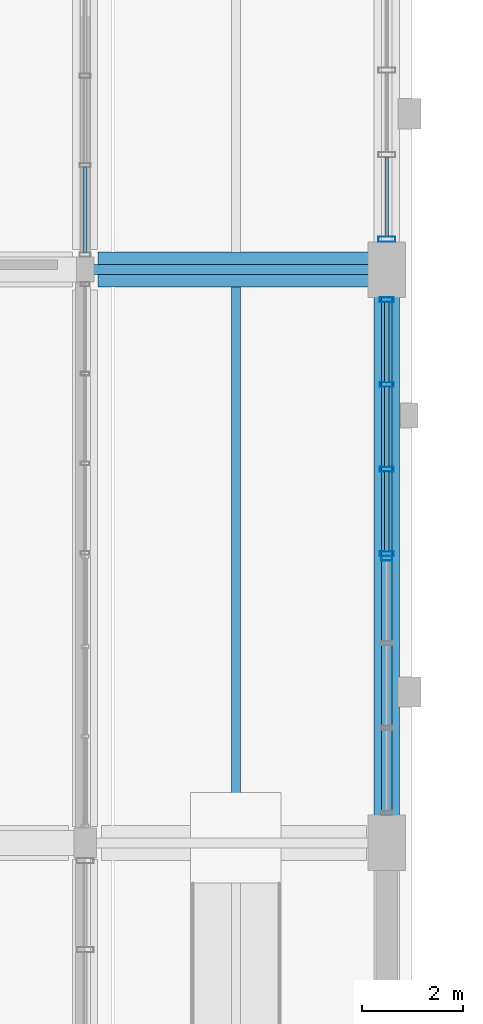
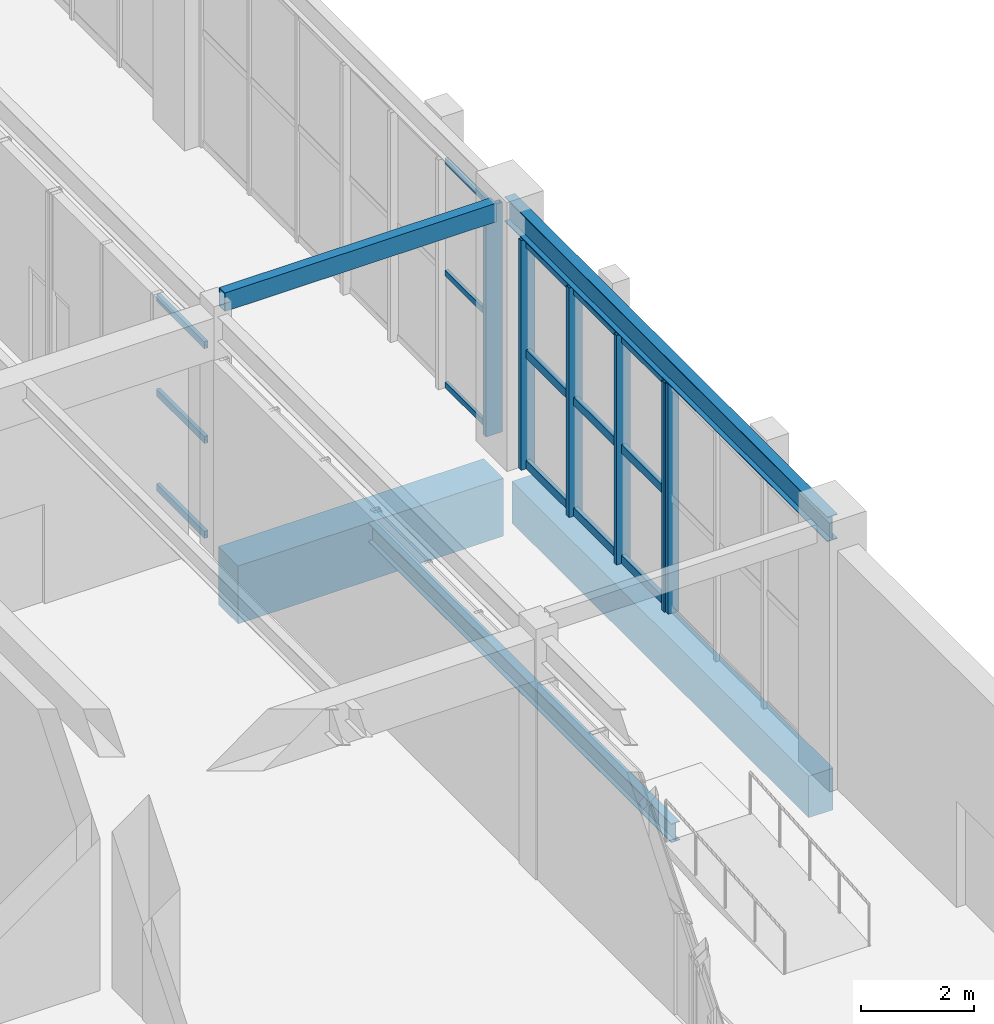
# One storey, part 31 of 113: 21 members, 5 beams, 4 elements without a shape of their own.
"""IFC4 building model written with IfcOpenShell, lengths in metres."""

from ifc_helpers import new_model, si_unit, direction, frame, origin, origin_2d, place, context, subcontext, project, spatial, rectangle, hollow_rectangle, i_section, extrude, material, layer, layer_set, material_profile, profile_set, type_object, element, aggregate, save


model = new_model("IFC4")

# Units and contexts
model_context = context("Model", 3, precision=1e-05, world=origin(), true_north=direction((0.0, 1.0)))
body_context = subcontext(model_context, "Body", "Model", "MODEL_VIEW")
ifc_project = project(units=[si_unit("LENGTHUNIT", "METRE"), si_unit("AREAUNIT", "SQUARE_METRE"), si_unit("VOLUMEUNIT", "CUBIC_METRE"), si_unit("PLANEANGLEUNIT", "RADIAN"), si_unit("MASSUNIT", "GRAM", prefix="KILO"), si_unit("POWERUNIT", "WATT"), si_unit("THERMODYNAMICTEMPERATUREUNIT", "KELVIN")], contexts=[model_context])

# Site, building, storey
site_placement = place(None, origin())
site = spatial("IfcSite", under=ifc_project, at=site_placement, CompositionType="ELEMENT")
building_placement = place(site_placement, origin())
building = spatial("IfcBuilding", under=site, at=building_placement, Name="Kelmbourne Parkland Aquatics Centre", CompositionType="ELEMENT")
storey_placement = place(building_placement, origin())
storey = spatial("IfcBuildingStorey", under=building, at=storey_placement, Name="L00", CompositionType="ELEMENT", Elevation=0.0)

# Beams
ifc_material_1 = material(Name="Concrete C40/50", Category="concrete")
ifc_material_profile_1 = material_profile(ifc_material_1, rectangle(XDim=0.5, YDim=0.89990234375, at=origin_2d()), Name="RC 500x900")
ifc_profile_set_1 = profile_set([ifc_material_profile_1], Name="Concrete C40/50")
beam_type_1 = type_object("IfcBeamType", Name="BM-G03", PredefinedType="BEAM", material=ifc_profile_set_1)
beam_1_placement = place(storey_placement, frame((46.0, 35.405029296875, -0.72998046875), z_axis=(0.0, 1.0, 0.0), x_axis=(-1.0, 0.0, 0.0)))
element("IfcBeam", 1, at=beam_1_placement, inside=storey, type_object=beam_type_1, Name="Primary girder 05-06 Grid G (L00)", PredefinedType="BEAM", context=body_context, shape_type="SweptSolid", body=[
    extrude(rectangle(XDim=0.5, YDim=0.89990234375, at=origin_2d()), origin(), (0.0, 0.0, 1.0), 10.489990234375),
])
ifc_material_2 = material(Name="Concrete C50/60", Category="concrete")
ifc_material_profile_2 = material_profile(ifc_material_2, rectangle(XDim=0.699951171875, YDim=1.25, at=origin_2d()), Name="RC 700x1250")
ifc_profile_set_2 = profile_set([ifc_material_profile_2], Name="Concrete C50/60")
beam_type_2 = type_object("IfcBeamType", Name="BM-G08", PredefinedType="BEAM", material=ifc_profile_set_2)
beam_2_placement = place(storey_placement, frame((40.2548828125, 46.39990234375, -0.905029296875), z_axis=(1.0, 0.0, 0.0), x_axis=(0.0, 1.0, 0.0)))
element("IfcBeam", 2, at=beam_2_placement, inside=storey, type_object=beam_type_2, Name="Primary girder F-G Grid 06 (L00)", PredefinedType="BEAM", context=body_context, shape_type="SweptSolid", body=[
    extrude(rectangle(XDim=0.699951171875, YDim=1.25, at=origin_2d()), origin(), (0.0, 0.0, 1.0), 5.4150390625),
])
ifc_material_3 = material(Name="Structural steel AS/NZS 3679.1 Grade 300", Category="steel")
ifc_material_profile_3 = material_profile(ifc_material_3, i_section(OverallWidth=0.177978515625, OverallDepth=0.406005859375, WebThickness=0.0078125, FlangeThickness=0.0126953125, at=origin_2d()), Name="410UB59.7")
ifc_profile_set_3 = profile_set([ifc_material_profile_3], Name="Structural steel AS/NZS 3679.1 Grade 300")
beam_type_3 = type_object("IfcBeamType", Name="BM-J01", PredefinedType="JOIST", material=ifc_profile_set_3)
beam_3_placement = place(storey_placement, frame((43.0, 35.342041015625, -0.48291015625), z_axis=(0.0, 1.0, 0.0), x_axis=(-1.0, 0.0, 0.0)))
element("IfcBeam", 3, at=beam_3_placement, inside=storey, type_object=beam_type_3, Name="Secondary floor joist F-G/05-06 #1 (L00)", PredefinedType="JOIST", context=body_context, shape_type="SweptSolid", body=[
    extrude(i_section(OverallWidth=0.177978515625, OverallDepth=0.406005859375, WebThickness=0.0078125, FlangeThickness=0.0126953125, at=origin_2d()), origin(), (0.0, 0.0, 1.0), 10.716064453125),
])
ifc_material_profile_4 = material_profile(ifc_material_3, i_section(OverallWidth=0.208984375, OverallDepth=0.532958984375, WebThickness=0.01025390625, FlangeThickness=0.015625, at=origin_2d()), Name="530UB92.4")
ifc_profile_set_4 = profile_set([ifc_material_profile_4], Name="Structural steel AS/NZS 3679.1 Grade 300")
beam_type_4 = type_object("IfcBeamType", Name="BM-SP02", PredefinedType="SPANDREL", material=ifc_profile_set_4)
beam_4_placement = place(storey_placement, frame((46.0, 35.0, 5.2333984375), z_axis=(0.0, 1.0, 0.0), x_axis=(-1.0, 0.0, 0.0)))
element("IfcBeam", 4, at=beam_4_placement, inside=storey, type_object=beam_type_4, Name="Perimeter spandrel 05-06 Grid G (L01_COL)", PredefinedType="SPANDREL", context=body_context, shape_type="SweptSolid", body=[
    extrude(i_section(OverallWidth=0.208984375, OverallDepth=0.532958984375, WebThickness=0.01025390625, FlangeThickness=0.015625, at=origin_2d()), origin(), (0.0, 0.0, 1.0), 11.39990234375),
])
ifc_material_4 = material(Name="Cold-formed hollow steel AS/NZS 1163 C350L0", Category="steel")
ifc_material_profile_5 = material_profile(ifc_material_4, hollow_rectangle(XDim=0.199951171875, YDim=0.39990234375, WallThickness=0.012451171875, at=origin_2d()), Name="RHS 400x200x12.5")
ifc_profile_set_5 = profile_set([ifc_material_profile_5], Name="Cold-formed hollow steel AS/NZS 1163 C350L0")
beam_type_5 = type_object("IfcBeamType", Name="BM-SP03", PredefinedType="SPANDREL", material=ifc_profile_set_5)
beam_5_placement = place(storey_placement, frame((40.1298828125, 46.39990234375, 5.300048828125), z_axis=(1.0, 0.0, 0.0), x_axis=(0.0, 1.0, 0.0)))
element("IfcBeam", 5, at=beam_5_placement, inside=storey, type_object=beam_type_5, Name="Colonnade cross spandrel F-G Grid 06", PredefinedType="SPANDREL", context=body_context, shape_type="SweptSolid", body=[
    extrude(hollow_rectangle(XDim=0.199951171875, YDim=0.39990234375, WallThickness=0.012451171875, at=origin_2d()), origin(), (0.0, 0.0, 1.0), 5.5400390625),
])

# Curtain wall, member
ifc_material_5 = material(Name="Thermally broken anodised aluminium framing", Category="aluminium")
ifc_layer_1 = layer(ifc_material_5, 0.179931640625)
ifc_layer_set_1 = layer_set([ifc_layer_1], Name="Thermally broken anodised aluminium framing")
curtain_wall_type_1 = type_object("IfcCurtainWallType", Name="CW-04", PredefinedType="NOTDEFINED", material=ifc_layer_set_1)
curtain_wall_1_placement = place(storey_placement, origin())
curtain_wall_1 = element("IfcCurtainWall", 6, at=curtain_wall_1_placement, inside=storey, type_object=curtain_wall_type_1, Name="Facade curtain wall CW-L00-172", PredefinedType="NOTDEFINED")
ifc_material_profile_6 = material_profile(ifc_material_5, hollow_rectangle(XDim=0.0849609375, YDim=0.219970703125, WallThickness=0.0048828125, at=origin_2d()), Name="CW-M 85x220")
ifc_profile_set_6 = profile_set([ifc_material_profile_6], Name="Thermally broken anodised aluminium framing")
member_type_1 = type_object("IfcMemberType", Name="MB-MUL-3", PredefinedType="MULLION", material=ifc_profile_set_6)
member_1_placement = place(storey_placement, frame((46.0, 40.657470703125, 0.0), z_axis=(0.0, 0.0, 1.0), x_axis=(0.0, 1.0, 0.0)))
member_1 = element("IfcMember", 7, at=member_1_placement, type_object=member_type_1, Name="CW-L00-172 mullion 3", PredefinedType="MULLION", context=body_context, shape_type="SweptSolid", body=[
    extrude(hollow_rectangle(XDim=0.0849609375, YDim=0.219970703125, WallThickness=0.0048828125, at=origin_2d()), origin(), (0.0, 0.0, 1.0), 4.951904296875),
])
aggregate(curtain_wall_1, [member_1])

# Curtain wall, members
ifc_layer_2 = layer(ifc_material_5, 0.179931640625)
ifc_layer_set_2 = layer_set([ifc_layer_2], Name="Thermally broken anodised aluminium framing")
curtain_wall_type_2 = type_object("IfcCurtainWallType", Name="CW-05", PredefinedType="NOTDEFINED", material=ifc_layer_set_2)
curtain_wall_2_placement = place(storey_placement, origin())
curtain_wall_2 = element("IfcCurtainWall", 8, at=curtain_wall_2_placement, inside=storey, type_object=curtain_wall_type_2, Name="Facade curtain wall CW-L00-173", PredefinedType="NOTDEFINED")
ifc_material_profile_7 = material_profile(ifc_material_5, hollow_rectangle(XDim=0.094970703125, YDim=0.280029296875, WallThickness=0.005615234375, at=origin_2d()), Name="CW-M 95x280")
ifc_profile_set_7 = profile_set([ifc_material_profile_7], Name="Thermally broken anodised aluminium framing")
member_type_2 = type_object("IfcMemberType", Name="MB-MUL-4", PredefinedType="MULLION", material=ifc_profile_set_7)
member_2_placement = place(storey_placement, frame((46.0, 40.74755859375, 0.0), z_axis=(0.0, 0.0, 1.0), x_axis=(0.0, 1.0, 0.0)))
member_2 = element("IfcMember", 9, at=member_2_placement, type_object=member_type_2, Name="CW-L00-173 mullion 0", PredefinedType="MULLION", context=body_context, shape_type="SweptSolid", body=[
    extrude(hollow_rectangle(XDim=0.094970703125, YDim=0.280029296875, WallThickness=0.005615234375, at=origin_2d()), origin(), (0.0, 0.0, 1.0), 4.951904296875),
])
member_3_placement = place(storey_placement, frame((46.0, 42.431884765625, 0.0), z_axis=(0.0, 0.0, 1.0), x_axis=(0.0, 1.0, 0.0)))
member_3 = element("IfcMember", 10, at=member_3_placement, type_object=member_type_2, Name="CW-L00-173 mullion 1", PredefinedType="MULLION", context=body_context, shape_type="SweptSolid", body=[
    extrude(hollow_rectangle(XDim=0.094970703125, YDim=0.280029296875, WallThickness=0.005615234375, at=origin_2d()), origin(), (0.0, 0.0, 1.0), 4.951904296875),
])
member_4_placement = place(storey_placement, frame((46.0, 44.1162109375, 0.0), z_axis=(0.0, 0.0, 1.0), x_axis=(0.0, 1.0, 0.0)))
member_4 = element("IfcMember", 11, at=member_4_placement, type_object=member_type_2, Name="CW-L00-173 mullion 2", PredefinedType="MULLION", context=body_context, shape_type="SweptSolid", body=[
    extrude(hollow_rectangle(XDim=0.094970703125, YDim=0.280029296875, WallThickness=0.005615234375, at=origin_2d()), origin(), (0.0, 0.0, 1.0), 4.951904296875),
])
member_5_placement = place(storey_placement, frame((46.0, 45.800537109375, 0.0), z_axis=(0.0, 0.0, 1.0), x_axis=(0.0, 1.0, 0.0)))
member_5 = element("IfcMember", 12, at=member_5_placement, type_object=member_type_2, Name="CW-L00-173 mullion 3", PredefinedType="MULLION", context=body_context, shape_type="SweptSolid", body=[
    extrude(hollow_rectangle(XDim=0.094970703125, YDim=0.280029296875, WallThickness=0.005615234375, at=origin_2d()), origin(), (0.0, 0.0, 1.0), 4.951904296875),
])

ifc_layer_3 = layer(ifc_material_5, 0.179931640625)
ifc_layer_set_3 = layer_set([ifc_layer_3], Name="Thermally broken anodised aluminium framing")
curtain_wall_type_3 = type_object("IfcCurtainWallType", Name="CW-06", PredefinedType="NOTDEFINED", material=ifc_layer_set_3)
curtain_wall_3_placement = place(storey_placement, origin())
curtain_wall_3 = element("IfcCurtainWall", 13, at=curtain_wall_3_placement, inside=storey, type_object=curtain_wall_type_3, Name="Facade curtain wall CW-L00-174", PredefinedType="NOTDEFINED")
ifc_material_profile_8 = material_profile(ifc_material_5, hollow_rectangle(XDim=0.10498046875, YDim=0.340087890625, WallThickness=0.006103515625, at=origin_2d()), Name="CW-M 105x340")
ifc_profile_set_8 = profile_set([ifc_material_profile_8], Name="Thermally broken anodised aluminium framing")
member_type_3 = type_object("IfcMemberType", Name="MB-MUL-5", PredefinedType="MULLION", material=ifc_profile_set_8)
member_6_placement = place(storey_placement, frame((46.0, 47.00439453125, 0.0), z_axis=(0.0, 0.0, 1.0), x_axis=(0.0, 1.0, 0.0)))
member_6 = element("IfcMember", 14, at=member_6_placement, type_object=member_type_3, Name="CW-L00-174 mullion 0", PredefinedType="MULLION", context=body_context, shape_type="SweptSolid", body=[
    extrude(hollow_rectangle(XDim=0.10498046875, YDim=0.340087890625, WallThickness=0.006103515625, at=origin_2d()), origin(), (0.0, 0.0, 1.0), 4.951904296875),
])
ifc_material_profile_9 = material_profile(ifc_material_5, hollow_rectangle(XDim=0.06494140625, YDim=0.1201171875, WallThickness=0.00341796875, at=origin_2d()), Name="CW-T 65x120")
ifc_profile_set_9 = profile_set([ifc_material_profile_9], Name="Thermally broken anodised aluminium framing")
member_type_4 = type_object("IfcMemberType", Name="MB-TRN-1", PredefinedType="USERDEFINED", material=ifc_profile_set_9)
member_7_placement = place(storey_placement, frame((46.0, 47.052978515625, 0.06298828125), z_axis=(0.0, 1.0, 0.0), x_axis=(-1.0, 0.0, 0.0)))
member_7 = element("IfcMember", 15, at=member_7_placement, type_object=member_type_4, Name="CW-L00-174 transom 0-0", ObjectType="TRANSOM", PredefinedType="USERDEFINED", context=body_context, shape_type="SweptSolid", body=[
    extrude(hollow_rectangle(XDim=0.06494140625, YDim=0.1201171875, WallThickness=0.00341796875, at=origin_2d()), origin(), (0.0, 0.0, 1.0), 1.583984375),
])
member_8_placement = place(storey_placement, frame((46.0, 47.052978515625, 2.47607421875), z_axis=(0.0, 1.0, 0.0), x_axis=(-1.0, 0.0, 0.0)))
member_8 = element("IfcMember", 16, at=member_8_placement, type_object=member_type_4, Name="CW-L00-174 transom 1-0", ObjectType="TRANSOM", PredefinedType="USERDEFINED", context=body_context, shape_type="SweptSolid", body=[
    extrude(hollow_rectangle(XDim=0.06494140625, YDim=0.1201171875, WallThickness=0.00341796875, at=origin_2d()), origin(), (0.0, 0.0, 1.0), 1.583984375),
])
member_9_placement = place(storey_placement, frame((46.0, 47.052978515625, 4.888916015625), z_axis=(0.0, 1.0, 0.0), x_axis=(-1.0, 0.0, 0.0)))
member_9 = element("IfcMember", 17, at=member_9_placement, type_object=member_type_4, Name="CW-L00-174 transom 2-0", ObjectType="TRANSOM", PredefinedType="USERDEFINED", context=body_context, shape_type="SweptSolid", body=[
    extrude(hollow_rectangle(XDim=0.06494140625, YDim=0.1201171875, WallThickness=0.00341796875, at=origin_2d()), origin(), (0.0, 0.0, 1.0), 1.583984375),
])
aggregate(curtain_wall_3, [member_6, member_7, member_8, member_9])

ifc_layer_4 = layer(ifc_material_5, 0.179931640625)
ifc_layer_set_4 = layer_set([ifc_layer_4], Name="Thermally broken anodised aluminium framing")
curtain_wall_type_4 = type_object("IfcCurtainWallType", Name="CW-01", PredefinedType="NOTDEFINED", material=ifc_layer_set_4)
curtain_wall_4_placement = place(storey_placement, origin())
curtain_wall_4 = element("IfcCurtainWall", 18, at=curtain_wall_4_placement, inside=storey, type_object=curtain_wall_type_4, Name="Facade curtain wall CW-L00-217", PredefinedType="NOTDEFINED")
ifc_material_profile_10 = material_profile(ifc_material_5, hollow_rectangle(XDim=0.074951171875, YDim=0.14990234375, WallThickness=0.00390625, at=origin_2d()), Name="CW-T 75x150")
ifc_profile_set_10 = profile_set([ifc_material_profile_10], Name="Thermally broken anodised aluminium framing")
member_type_5 = type_object("IfcMemberType", Name="MB-TRN-2", PredefinedType="USERDEFINED", material=ifc_profile_set_10)
member_10_placement = place(storey_placement, frame((40.0, 46.73291015625, 0.077880859375), z_axis=(0.0, 1.0, 0.0), x_axis=(-1.0, 0.0, 0.0)))
member_10 = element("IfcMember", 19, at=member_10_placement, type_object=member_type_5, Name="CW-L00-217 transom 0-0", ObjectType="TRANSOM", PredefinedType="USERDEFINED", context=body_context, shape_type="SweptSolid", body=[
    extrude(hollow_rectangle(XDim=0.074951171875, YDim=0.14990234375, WallThickness=0.00390625, at=origin_2d()), origin(), (0.0, 0.0, 1.0), 1.702392578125),
])
member_11_placement = place(storey_placement, frame((40.0, 46.73291015625, 2.12255859375), z_axis=(0.0, 1.0, 0.0), x_axis=(-1.0, 0.0, 0.0)))
member_11 = element("IfcMember", 20, at=member_11_placement, type_object=member_type_5, Name="CW-L00-217 transom 1-0", ObjectType="TRANSOM", PredefinedType="USERDEFINED", context=body_context, shape_type="SweptSolid", body=[
    extrude(hollow_rectangle(XDim=0.074951171875, YDim=0.14990234375, WallThickness=0.00390625, at=origin_2d()), origin(), (0.0, 0.0, 1.0), 1.702392578125),
])
member_12_placement = place(storey_placement, frame((40.0, 46.73291015625, 4.1669921875), z_axis=(0.0, 1.0, 0.0), x_axis=(-1.0, 0.0, 0.0)))
member_12 = element("IfcMember", 21, at=member_12_placement, type_object=member_type_5, Name="CW-L00-217 transom 2-0", ObjectType="TRANSOM", PredefinedType="USERDEFINED", context=body_context, shape_type="SweptSolid", body=[
    extrude(hollow_rectangle(XDim=0.074951171875, YDim=0.14990234375, WallThickness=0.00390625, at=origin_2d()), origin(), (0.0, 0.0, 1.0), 1.702392578125),
])
aggregate(curtain_wall_4, [member_10, member_11, member_12])

# Member
ifc_material_profile_11 = material_profile(ifc_material_5, hollow_rectangle(XDim=0.0849609375, YDim=0.179931640625, WallThickness=0.00439453125, at=origin_2d()), Name="CW-T 85x180")
ifc_profile_set_11 = profile_set([ifc_material_profile_11], Name="Thermally broken anodised aluminium framing")
member_type_6 = type_object("IfcMemberType", Name="MB-TRN-3", PredefinedType="USERDEFINED", material=ifc_profile_set_11)
member_13_placement = place(storey_placement, frame((46.0, 40.791015625, 0.093017578125), z_axis=(0.0, 1.0, 0.0), x_axis=(-1.0, 0.0, 0.0)))
member_13 = element("IfcMember", 22, at=member_13_placement, type_object=member_type_6, Name="CW-L00-173 transom 0-0", ObjectType="TRANSOM", PredefinedType="USERDEFINED", context=body_context, shape_type="SweptSolid", body=[
    extrude(hollow_rectangle(XDim=0.0849609375, YDim=0.179931640625, WallThickness=0.00439453125, at=origin_2d()), origin(), (0.0, 0.0, 1.0), 1.59716796875),
])

member_14_placement = place(storey_placement, frame((46.0, 42.475341796875, 0.093017578125), z_axis=(0.0, 1.0, 0.0), x_axis=(-1.0, 0.0, 0.0)))
member_14 = element("IfcMember", 23, at=member_14_placement, type_object=member_type_6, Name="CW-L00-173 transom 0-1", ObjectType="TRANSOM", PredefinedType="USERDEFINED", context=body_context, shape_type="SweptSolid", body=[
    extrude(hollow_rectangle(XDim=0.0849609375, YDim=0.179931640625, WallThickness=0.00439453125, at=origin_2d()), origin(), (0.0, 0.0, 1.0), 1.597412109375),
])

member_15_placement = place(storey_placement, frame((46.0, 44.15966796875, 0.093017578125), z_axis=(0.0, 1.0, 0.0), x_axis=(-1.0, 0.0, 0.0)))
member_15 = element("IfcMember", 24, at=member_15_placement, type_object=member_type_6, Name="CW-L00-173 transom 0-2", ObjectType="TRANSOM", PredefinedType="USERDEFINED", context=body_context, shape_type="SweptSolid", body=[
    extrude(hollow_rectangle(XDim=0.0849609375, YDim=0.179931640625, WallThickness=0.00439453125, at=origin_2d()), origin(), (0.0, 0.0, 1.0), 1.597412109375),
])

member_16_placement = place(storey_placement, frame((46.0, 40.791015625, 2.47607421875), z_axis=(0.0, 1.0, 0.0), x_axis=(-1.0, 0.0, 0.0)))
member_16 = element("IfcMember", 25, at=member_16_placement, type_object=member_type_6, Name="CW-L00-173 transom 1-0", ObjectType="TRANSOM", PredefinedType="USERDEFINED", context=body_context, shape_type="SweptSolid", body=[
    extrude(hollow_rectangle(XDim=0.0849609375, YDim=0.179931640625, WallThickness=0.00439453125, at=origin_2d()), origin(), (0.0, 0.0, 1.0), 1.59716796875),
])

member_17_placement = place(storey_placement, frame((46.0, 42.475341796875, 2.47607421875), z_axis=(0.0, 1.0, 0.0), x_axis=(-1.0, 0.0, 0.0)))
member_17 = element("IfcMember", 26, at=member_17_placement, type_object=member_type_6, Name="CW-L00-173 transom 1-1", ObjectType="TRANSOM", PredefinedType="USERDEFINED", context=body_context, shape_type="SweptSolid", body=[
    extrude(hollow_rectangle(XDim=0.0849609375, YDim=0.179931640625, WallThickness=0.00439453125, at=origin_2d()), origin(), (0.0, 0.0, 1.0), 1.597412109375),
])

member_18_placement = place(storey_placement, frame((46.0, 44.15966796875, 2.47607421875), z_axis=(0.0, 1.0, 0.0), x_axis=(-1.0, 0.0, 0.0)))
member_18 = element("IfcMember", 27, at=member_18_placement, type_object=member_type_6, Name="CW-L00-173 transom 1-2", ObjectType="TRANSOM", PredefinedType="USERDEFINED", context=body_context, shape_type="SweptSolid", body=[
    extrude(hollow_rectangle(XDim=0.0849609375, YDim=0.179931640625, WallThickness=0.00439453125, at=origin_2d()), origin(), (0.0, 0.0, 1.0), 1.597412109375),
])

member_19_placement = place(storey_placement, frame((46.0, 40.791015625, 4.85888671875), z_axis=(0.0, 1.0, 0.0), x_axis=(-1.0, 0.0, 0.0)))
member_19 = element("IfcMember", 28, at=member_19_placement, type_object=member_type_6, Name="CW-L00-173 transom 2-0", ObjectType="TRANSOM", PredefinedType="USERDEFINED", context=body_context, shape_type="SweptSolid", body=[
    extrude(hollow_rectangle(XDim=0.0849609375, YDim=0.179931640625, WallThickness=0.00439453125, at=origin_2d()), origin(), (0.0, 0.0, 1.0), 1.59716796875),
])

member_20_placement = place(storey_placement, frame((46.0, 42.475341796875, 4.85888671875), z_axis=(0.0, 1.0, 0.0), x_axis=(-1.0, 0.0, 0.0)))
member_20 = element("IfcMember", 29, at=member_20_placement, type_object=member_type_6, Name="CW-L00-173 transom 2-1", ObjectType="TRANSOM", PredefinedType="USERDEFINED", context=body_context, shape_type="SweptSolid", body=[
    extrude(hollow_rectangle(XDim=0.0849609375, YDim=0.179931640625, WallThickness=0.00439453125, at=origin_2d()), origin(), (0.0, 0.0, 1.0), 1.597412109375),
])

member_21_placement = place(storey_placement, frame((46.0, 44.15966796875, 4.85888671875), z_axis=(0.0, 1.0, 0.0), x_axis=(-1.0, 0.0, 0.0)))
member_21 = element("IfcMember", 30, at=member_21_placement, type_object=member_type_6, Name="CW-L00-173 transom 2-2", ObjectType="TRANSOM", PredefinedType="USERDEFINED", context=body_context, shape_type="SweptSolid", body=[
    extrude(hollow_rectangle(XDim=0.0849609375, YDim=0.179931640625, WallThickness=0.00439453125, at=origin_2d()), origin(), (0.0, 0.0, 1.0), 1.597412109375),
])

aggregate(curtain_wall_2, [member_2, member_3, member_4, member_5, member_13, member_14, member_15, member_16, member_17, member_18, member_19, member_20, member_21])

save(model, "model.ifc")
